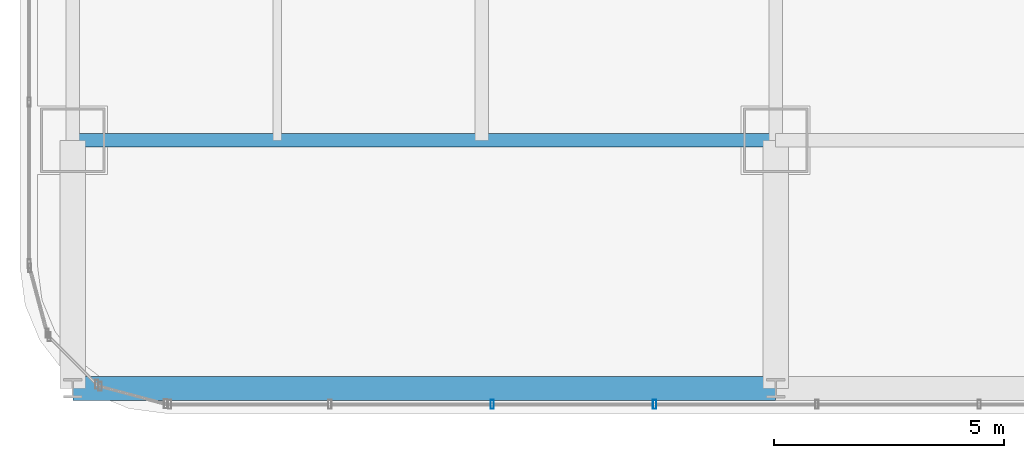
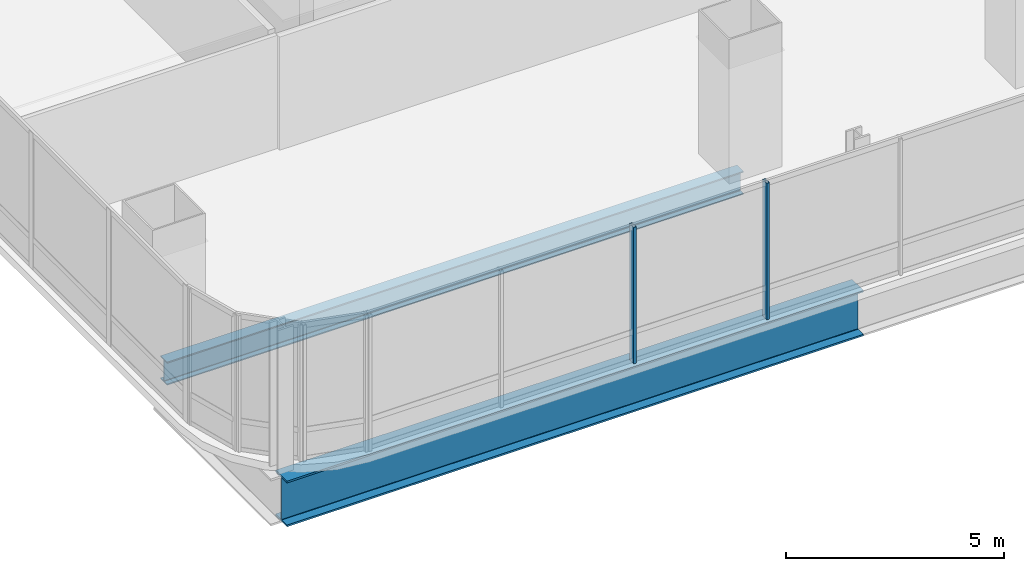
# One storey, part 3 of 36: 2 beams, 2 members, 1 element without a shape of its own.
"""IFC4 building model written with IfcOpenShell, lengths in metres."""

from ifc_helpers import new_model, si_unit, direction, frame, origin, origin_2d, place, context, subcontext, project, spatial, hollow_rectangle, i_section, extrude, material, material_profile, profile_set, type_object, element, aggregate, save


model = new_model("IFC4")

# Units and contexts
model_context = context("Model", 3, precision=1e-05, world=origin(), true_north=direction((0.0, 1.0)))
body_context = subcontext(model_context, "Body", "Model", "MODEL_VIEW")
ifc_project = project(units=[si_unit("LENGTHUNIT", "METRE"), si_unit("AREAUNIT", "SQUARE_METRE"), si_unit("VOLUMEUNIT", "CUBIC_METRE"), si_unit("PLANEANGLEUNIT", "RADIAN"), si_unit("MASSUNIT", "GRAM", prefix="KILO")], contexts=[model_context])

# Site, building, storey
site_placement = place(None, origin())
site = spatial("IfcSite", under=ifc_project, at=site_placement, CompositionType="ELEMENT")
building_placement = place(site_placement, origin())
building = spatial("IfcBuilding", under=site, at=building_placement, Name="Punatoya Terracotta Tower", CompositionType="ELEMENT")
storey_placement = place(building_placement, frame((0.0, 0.0, 212.699951171875)))
storey = spatial("IfcBuildingStorey", under=building, at=storey_placement, Name="L50", CompositionType="ELEMENT", Elevation=212.699951171875)

# Beams
ifc_material_1 = material(Name="Steel S355", Category="steel")
ifc_material_profile_1 = material_profile(ifc_material_1, i_section(OverallWidth=0.300048828125, OverallDepth=0.64990234375, WebThickness=0.01611328125, FlangeThickness=0.031005859375, FilletRadius=0.01806640625, at=origin_2d()))
ifc_profile_set_1 = profile_set([ifc_material_profile_1], Name="Steel S355")
beam_type_1 = type_object("IfcBeamType", Name="BM-PRI-650", PredefinedType="BEAM", material=ifc_profile_set_1)
beam_1_placement = place(storey_placement, frame((-19.10009765625, -17.5, -0.544921875), z_axis=(1.0, 0.0, 0.0), x_axis=(0.0, 1.0, 0.0)))
element("IfcBeam", 1, at=beam_1_placement, inside=storey, type_object=beam_type_1, Name="BM-L50-RG-S1", PredefinedType="BEAM", context=body_context, shape_type="SweptSolid", body=[
    extrude(i_section(OverallWidth=0.300048828125, OverallDepth=0.64990234375, WebThickness=0.01611328125, FlangeThickness=0.031005859375, FilletRadius=0.01806640625, at=origin_2d()), origin(), (0.0, 0.0, 1.0), 15.300048828125),
])
ifc_material_2 = material(Name="Steel S460", Category="steel")
ifc_material_profile_2 = material_profile(ifc_material_2, i_section(OverallWidth=0.52001953125, OverallDepth=1.280029296875, WebThickness=0.031982421875, FlangeThickness=0.050048828125, FilletRadius=0.01806640625, at=origin_2d()))
ifc_profile_set_2 = profile_set([ifc_material_profile_2], Name="Steel S460")
beam_type_2 = type_object("IfcBeamType", Name="BM-TG-NCK", PredefinedType="BEAM", material=ifc_profile_set_2)
beam_2_placement = place(storey_placement, frame((-19.10009765625, -22.89990234375, -0.85986328125), z_axis=(1.0, 0.0, 0.0), x_axis=(0.0, 1.0, 0.0)))
element("IfcBeam", 2, at=beam_2_placement, inside=storey, type_object=beam_type_2, Name="BM-L50-PER-S1", PredefinedType="BEAM", context=body_context, shape_type="SweptSolid", body=[
    extrude(i_section(OverallWidth=0.52001953125, OverallDepth=1.280029296875, WebThickness=0.031982421875, FlangeThickness=0.050048828125, FilletRadius=0.01806640625, at=origin_2d()), origin(), (0.0, 0.0, 1.0), 15.300048828125),
])

# Curtain wall, members
ifc_material_3 = material(Name="Aluminium 6063-T6 + Double Low-E Glass", Category="aluminium")
curtain_wall_type = type_object("IfcCurtainWallType", Name="CW-M2", PredefinedType="NOTDEFINED", material=ifc_material_3)
curtain_wall_placement = place(storey_placement, origin())
curtain_wall = element("IfcCurtainWall", 3, at=curtain_wall_placement, inside=storey, type_object=curtain_wall_type, Name="L50 Curtain Wall CW-L50-S01-1", PredefinedType="NOTDEFINED")
ifc_material_4 = material(Name="Aluminium 6063-T6", Category="aluminium")
ifc_material_profile_3 = material_profile(ifc_material_4, hollow_rectangle(XDim=0.072021484375, YDim=0.195068359375, WallThickness=0.00439453125, at=origin_2d()))
ifc_profile_set_3 = profile_set([ifc_material_profile_3], Name="Aluminium 6063-T6")
member_type = type_object("IfcMemberType", Name="CW-MUL-M2", PredefinedType="MULLION", material=ifc_profile_set_3)
member_1_placement = place(storey_placement, frame((-9.968994140625, -23.25, 0.0), z_axis=(0.0, 0.0, 1.0), x_axis=(1.0, 0.0, 0.0)))
member_1 = element("IfcMember", 4, at=member_1_placement, type_object=member_type, Name="CW-L50-S01-1 Mullion 02", PredefinedType="MULLION", context=body_context, shape_type="SweptSolid", body=[
    extrude(hollow_rectangle(XDim=0.072021484375, YDim=0.195068359375, WallThickness=0.00439453125, at=origin_2d()), origin(), (0.0, 0.0, 1.0), 3.830078125),
])
member_2_placement = place(storey_placement, frame((-6.43505859375, -23.25, 0.0), z_axis=(0.0, 0.0, 1.0), x_axis=(1.0, 0.0, 0.0)))
member_2 = element("IfcMember", 5, at=member_2_placement, type_object=member_type, Name="CW-L50-S01-1 Mullion 03", PredefinedType="MULLION", context=body_context, shape_type="SweptSolid", body=[
    extrude(hollow_rectangle(XDim=0.072021484375, YDim=0.195068359375, WallThickness=0.00439453125, at=origin_2d()), origin(), (0.0, 0.0, 1.0), 3.830078125),
])
aggregate(curtain_wall, [member_1, member_2])

save(model, "model.ifc")
